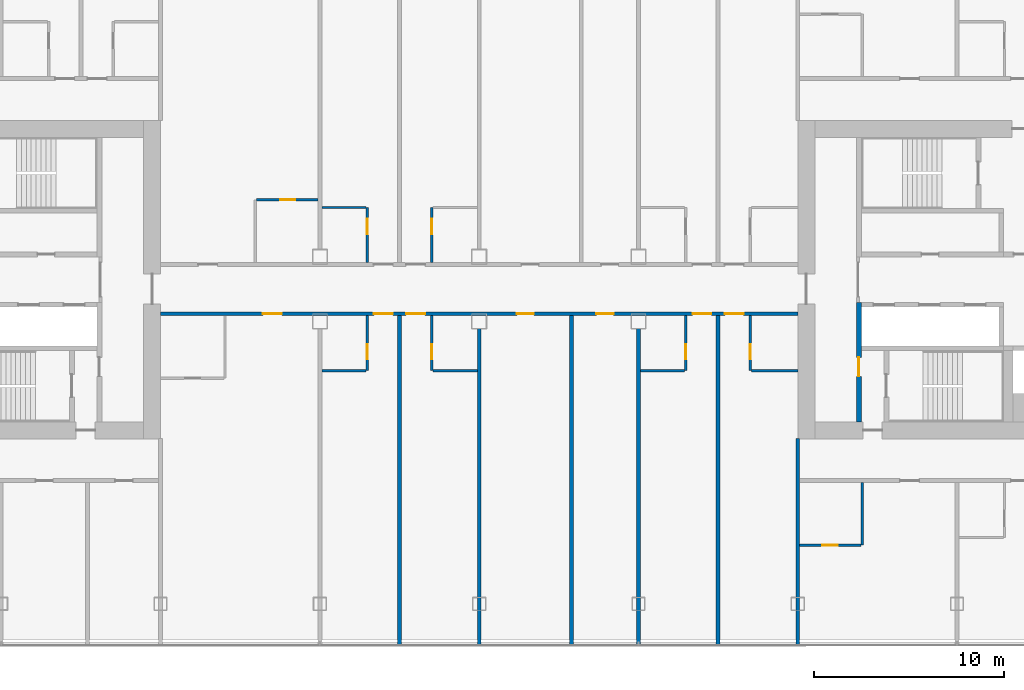
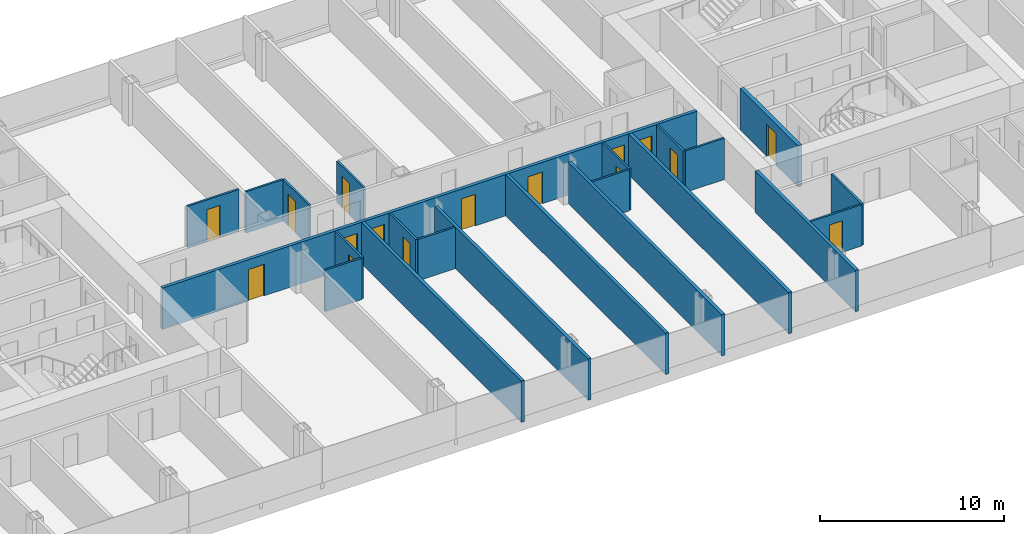
# One storey, part 14 of 26: 22 walls, 16 doors, 16 openings.
"""IFC4 building model written with IfcOpenShell, lengths in metres."""

from ifc_helpers import new_model, si_unit, direction, frame, frame_2d, origin, place, context, subcontext, project, spatial, rectangle, extrude, material, layer, layer_set, type_object, element, fill, save


model = new_model("IFC4")

# Units and contexts
model_context = context("Model", 3, precision=1e-05, world=origin(), true_north=direction((0.0, 1.0)))
body_context = subcontext(model_context, "Body", "Model", "MODEL_VIEW")
ifc_project = project(units=[si_unit("LENGTHUNIT", "METRE"), si_unit("AREAUNIT", "SQUARE_METRE"), si_unit("VOLUMEUNIT", "CUBIC_METRE"), si_unit("PLANEANGLEUNIT", "RADIAN"), si_unit("MASSUNIT", "GRAM", prefix="KILO")], contexts=[model_context])

# Site, building, storey
site_placement = place(None, origin())
site = spatial("IfcSite", under=ifc_project, at=site_placement, CompositionType="ELEMENT")
building_placement = place(site_placement, origin())
building = spatial("IfcBuilding", under=site, at=building_placement, Name="Hakoniwa Tower and Hamabe Station Hall", CompositionType="ELEMENT")
storey_placement = place(building_placement, frame((0.0, 0.0, 169.39990234375)))
storey = spatial("IfcBuildingStorey", under=building, at=storey_placement, Name="L48", CompositionType="ELEMENT", Elevation=169.39990234375)

# Wall, opening, door
ifc_material_1 = material(Name="Gypsum board partition", Category="gypsum")
ifc_layer_1 = layer(ifc_material_1, 0.125)
ifc_layer_set_1 = layer_set([ifc_layer_1], Name="Bathroom Partition 125")
wall_type_1 = type_object("IfcWallType", Name="Bathroom Partition 125", PredefinedType="PARTITIONING", material=ifc_layer_set_1)
wall_1_placement = place(storey_placement, frame((16.89990234375, -14.0, 0.0), z_axis=(0.0, 0.0, 1.0), x_axis=(1.0, 0.0, 0.0)))
wall_1 = element("IfcWall", 1, at=wall_1_placement, inside=storey, type_object=wall_type_1, Name="GW-L48-001", PredefinedType="PARTITIONING", context=body_context, shape_type="SweptSolid", body=[
    extrude(rectangle(XDim=3.237548828125, YDim=0.125, at=frame_2d((1.61865234375, 0.0))), origin(), (0.0, 0.0, 1.0), 2.75),
])
opening_1_placement = place(wall_1_placement, frame((1.199951171875, 0.0, 0.0)))
opening_1 = element("IfcOpeningElement", 2, at=opening_1_placement, cuts=wall_1, Name="Opening GD-G3C2-01", PredefinedType="OPENING", context=body_context, shape_type="SweptSolid", body=[
    extrude(rectangle(XDim=0.800048828125, YDim=2.10009765625, at=frame_2d((0.39990234375, 1.050048828125))), frame((0.0, 0.072509765625, 0.0), z_axis=(0.0, -1.0, 0.0), x_axis=(1.0, 0.0, 0.0)), (0.0, 0.0, 1.0), 0.14501953125),
])
ifc_material_2 = material(Name="Timber door leaf", Category="wood")
door_type_1 = type_object("IfcDoorType", Name="Bathroom Door 800", OperationType="SINGLE_SWING_LEFT", PredefinedType="DOOR", material=ifc_material_2)
door_1_placement = place(opening_1_placement, origin())
door_1 = element("IfcDoor", 3, at=door_1_placement, inside=storey, type_object=door_type_1, Name="Door GD-G3C2-01", OperationType="SINGLE_SWING_LEFT", OverallHeight=2.10009765625, OverallWidth=0.800048828125, PredefinedType="DOOR", context=body_context, shape_type="SweptSolid", body=[
    extrude(rectangle(XDim=0.800048828125, YDim=2.10009765625, at=frame_2d((0.39990234375, 1.050048828125))), frame((0.0, 0.02490234375, 0.0), z_axis=(0.0, -1.0, 0.0), x_axis=(1.0, 0.0, 0.0)), (0.0, 0.0, 1.0), 0.050048828125),
])
fill(opening_1, door_1)

# Walls
wall_2_placement = place(storey_placement, frame((-8.300048828125, -4.800048828125, 0.0), z_axis=(0.0, 0.0, 1.0), x_axis=(1.0, 0.0, 0.0)))
element("IfcWall", 4, at=wall_2_placement, inside=storey, type_object=wall_type_1, Name="GW-L48-010", PredefinedType="PARTITIONING", context=body_context, shape_type="SweptSolid", body=[
    extrude(rectangle(XDim=2.337646484375, YDim=0.125, at=frame_2d((1.1689453125, 0.0))), origin(), (0.0, 0.0, 1.0), 2.75),
])
for number, where, z_axis, x_axis, name in (
    (5, (-2.4375, -4.800048828125, 0.0), (0.0, 0.0, 1.0), (1.0, 0.0, 0.0), "GW-L48-011"),
    (6, (8.5, -4.800048828125, 0.0), (0.0, 0.0, 1.0), (1.0, 0.0, 0.0), "GW-L48-012"),
):
    element("IfcWall", number, at=place(storey_placement, frame(where, z_axis=z_axis, x_axis=x_axis)), inside=storey, type_object=wall_type_1, Name=name, PredefinedType="PARTITIONING", context=body_context, shape_type="SweptSolid", body=[
        extrude(rectangle(XDim=2.33740234375, YDim=0.125, at=frame_2d((1.168701171875, 0.0))), origin(), (0.0, 0.0, 1.0), 2.75),
    ])
wall_3_placement = place(storey_placement, frame((14.362548828125, -4.800048828125, 0.0), z_axis=(0.0, 0.0, 1.0), x_axis=(1.0, 0.0, 0.0)))
element("IfcWall", 7, at=wall_3_placement, inside=storey, type_object=wall_type_1, Name="GW-L48-013", PredefinedType="PARTITIONING", context=body_context, shape_type="SweptSolid", body=[
    extrude(rectangle(XDim=2.447509765625, YDim=0.125, at=frame_2d((1.2236328125, 0.0))), origin(), (0.0, 0.0, 1.0), 2.75),
])
wall_4_placement = place(storey_placement, frame((-8.300048828125, 3.800048828125, 0.0), z_axis=(0.0, 0.0, 1.0), x_axis=(1.0, 0.0, 0.0)))
element("IfcWall", 8, at=wall_4_placement, inside=storey, type_object=wall_type_1, Name="GW-L48-018", PredefinedType="PARTITIONING", context=body_context, shape_type="SweptSolid", body=[
    extrude(rectangle(XDim=2.337646484375, YDim=0.125, at=frame_2d((1.1689453125, 0.0))), origin(), (0.0, 0.0, 1.0), 2.75),
])

# Wall, opening, door
wall_5_placement = place(storey_placement, frame((-11.737548828125, 4.199951171875, 0.0), z_axis=(0.0, 0.0, 1.0), x_axis=(1.0, 0.0, 0.0)))
wall_5 = element("IfcWall", 9, at=wall_5_placement, inside=storey, type_object=wall_type_1, Name="GW-L48-022", PredefinedType="PARTITIONING", context=body_context, shape_type="SweptSolid", body=[
    extrude(rectangle(XDim=3.237548828125, YDim=0.125, at=frame_2d((1.61865234375, 0.0))), origin(), (0.0, 0.0, 1.0), 2.75),
])
opening_2_placement = place(wall_5_placement, frame((1.237548828125, 0.0, 0.0)))
opening_2 = element("IfcOpeningElement", 10, at=opening_2_placement, cuts=wall_5, Name="Opening GD-G3C2-32", PredefinedType="OPENING", context=body_context, shape_type="SweptSolid", body=[
    extrude(rectangle(XDim=0.800048828125, YDim=2.10009765625, at=frame_2d((0.39990234375, 1.050048828125))), frame((0.0, 0.072509765625, 0.0), z_axis=(0.0, -1.0, 0.0), x_axis=(1.0, 0.0, 0.0)), (0.0, 0.0, 1.0), 0.14501953125),
])
door_2_placement = place(opening_2_placement, origin())
door_2 = element("IfcDoor", 11, at=door_2_placement, inside=storey, type_object=door_type_1, Name="Door GD-G3C2-32", OperationType="SINGLE_SWING_RIGHT", OverallHeight=2.10009765625, OverallWidth=0.800048828125, PredefinedType="DOOR", context=body_context, shape_type="SweptSolid", body=[
    extrude(rectangle(XDim=0.800048828125, YDim=2.10009765625, at=frame_2d((0.39990234375, 1.050048828125))), frame((0.0, 0.02490234375, 0.0), z_axis=(0.0, -1.0, 0.0), x_axis=(1.0, 0.0, 0.0)), (0.0, 0.0, 1.0), 0.050048828125),
])
fill(opening_2, door_2)

wall_6_placement = place(storey_placement, frame((-5.89990234375, -4.800048828125, 0.0), z_axis=(0.0, 0.0, 1.0), x_axis=(0.0, 1.0, 0.0)))
wall_6 = element("IfcWall", 12, at=wall_6_placement, inside=storey, type_object=wall_type_1, Name="GW-L48-059", PredefinedType="PARTITIONING", context=body_context, shape_type="SweptSolid", body=[
    extrude(rectangle(XDim=2.900146484375, YDim=0.125, at=frame_2d((1.4501953125, 0.0))), origin(), (0.0, 0.0, 1.0), 2.75),
])
opening_3_placement = place(wall_6_placement, frame((0.60009765625, 0.0, 0.0)))
opening_3 = element("IfcOpeningElement", 13, at=opening_3_placement, cuts=wall_6, Name="Opening GD-G3C2-53", PredefinedType="OPENING", context=body_context, shape_type="SweptSolid", body=[
    extrude(rectangle(XDim=0.800048828125, YDim=2.10009765625, at=frame_2d((0.39990234375, 1.050048828125))), frame((0.0, 0.072509765625, 0.0), z_axis=(0.0, -1.0, 0.0), x_axis=(1.0, 0.0, 0.0)), (0.0, 0.0, 1.0), 0.14501953125),
])
door_3_placement = place(opening_3_placement, origin())
door_3 = element("IfcDoor", 14, at=door_3_placement, inside=storey, type_object=door_type_1, Name="Door GD-G3C2-53", OperationType="SINGLE_SWING_RIGHT", OverallHeight=2.10009765625, OverallWidth=0.800048828125, PredefinedType="DOOR", context=body_context, shape_type="SweptSolid", body=[
    extrude(rectangle(XDim=0.800048828125, YDim=2.10009765625, at=frame_2d((0.39990234375, 1.050048828125))), frame((0.0, 0.02490234375, 0.0), z_axis=(0.0, -1.0, 0.0), x_axis=(1.0, 0.0, 0.0)), (0.0, 0.0, 1.0), 0.050048828125),
])
fill(opening_3, door_3)

wall_7_placement = place(storey_placement, frame((-5.89990234375, 0.89990234375, 0.0), z_axis=(0.0, 0.0, 1.0), x_axis=(0.0, 1.0, 0.0)))
wall_7 = element("IfcWall", 15, at=wall_7_placement, inside=storey, type_object=wall_type_1, Name="GW-L48-060", PredefinedType="PARTITIONING", context=body_context, shape_type="SweptSolid", body=[
    extrude(rectangle(XDim=2.900146484375, YDim=0.125, at=frame_2d((1.4501953125, 0.0))), origin(), (0.0, 0.0, 1.0), 2.75),
])
opening_4_placement = place(wall_7_placement, frame((1.5, 0.0, 0.0)))
opening_4 = element("IfcOpeningElement", 16, at=opening_4_placement, cuts=wall_7, Name="Opening GD-G3C2-54", PredefinedType="OPENING", context=body_context, shape_type="SweptSolid", body=[
    extrude(rectangle(XDim=0.800048828125, YDim=2.10009765625, at=frame_2d((0.39990234375, 1.050048828125))), frame((0.0, 0.072509765625, 0.0), z_axis=(0.0, -1.0, 0.0), x_axis=(1.0, 0.0, 0.0)), (0.0, 0.0, 1.0), 0.14501953125),
])
door_4_placement = place(opening_4_placement, origin())
door_4 = element("IfcDoor", 17, at=door_4_placement, inside=storey, type_object=door_type_1, Name="Door GD-G3C2-54", OperationType="SINGLE_SWING_LEFT", OverallHeight=2.10009765625, OverallWidth=0.800048828125, PredefinedType="DOOR", context=body_context, shape_type="SweptSolid", body=[
    extrude(rectangle(XDim=0.800048828125, YDim=2.10009765625, at=frame_2d((0.39990234375, 1.050048828125))), frame((0.0, 0.02490234375, 0.0), z_axis=(0.0, -1.0, 0.0), x_axis=(1.0, 0.0, 0.0)), (0.0, 0.0, 1.0), 0.050048828125),
])
fill(opening_4, door_4)

wall_8_placement = place(storey_placement, frame((-2.5, -4.800048828125, 0.0), z_axis=(0.0, 0.0, 1.0), x_axis=(0.0, 1.0, 0.0)))
wall_8 = element("IfcWall", 18, at=wall_8_placement, inside=storey, type_object=wall_type_1, Name="GW-L48-063", PredefinedType="PARTITIONING", context=body_context, shape_type="SweptSolid", body=[
    extrude(rectangle(XDim=2.900146484375, YDim=0.125, at=frame_2d((1.4501953125, 0.0))), origin(), (0.0, 0.0, 1.0), 2.75),
])
opening_5_placement = place(wall_8_placement, frame((0.60009765625, 0.0, 0.0)))
opening_5 = element("IfcOpeningElement", 19, at=opening_5_placement, cuts=wall_8, Name="Opening GD-G3C2-55", PredefinedType="OPENING", context=body_context, shape_type="SweptSolid", body=[
    extrude(rectangle(XDim=0.800048828125, YDim=2.10009765625, at=frame_2d((0.39990234375, 1.050048828125))), frame((0.0, 0.072509765625, 0.0), z_axis=(0.0, -1.0, 0.0), x_axis=(1.0, 0.0, 0.0)), (0.0, 0.0, 1.0), 0.14501953125),
])
door_5_placement = place(opening_5_placement, origin())
door_5 = element("IfcDoor", 20, at=door_5_placement, inside=storey, type_object=door_type_1, Name="Door GD-G3C2-55", OperationType="SINGLE_SWING_LEFT", OverallHeight=2.10009765625, OverallWidth=0.800048828125, PredefinedType="DOOR", context=body_context, shape_type="SweptSolid", body=[
    extrude(rectangle(XDim=0.800048828125, YDim=2.10009765625, at=frame_2d((0.39990234375, 1.050048828125))), frame((0.0, 0.02490234375, 0.0), z_axis=(0.0, -1.0, 0.0), x_axis=(1.0, 0.0, 0.0)), (0.0, 0.0, 1.0), 0.050048828125),
])
fill(opening_5, door_5)

wall_9_placement = place(storey_placement, frame((-2.5, 0.89990234375, 0.0), z_axis=(0.0, 0.0, 1.0), x_axis=(0.0, 1.0, 0.0)))
wall_9 = element("IfcWall", 21, at=wall_9_placement, inside=storey, type_object=wall_type_1, Name="GW-L48-064", PredefinedType="PARTITIONING", context=body_context, shape_type="SweptSolid", body=[
    extrude(rectangle(XDim=2.900146484375, YDim=0.125, at=frame_2d((1.4501953125, 0.0))), origin(), (0.0, 0.0, 1.0), 2.75),
])
opening_6_placement = place(wall_9_placement, frame((1.5, 0.0, 0.0)))
opening_6 = element("IfcOpeningElement", 22, at=opening_6_placement, cuts=wall_9, Name="Opening GD-G3C2-56", PredefinedType="OPENING", context=body_context, shape_type="SweptSolid", body=[
    extrude(rectangle(XDim=0.800048828125, YDim=2.10009765625, at=frame_2d((0.39990234375, 1.050048828125))), frame((0.0, 0.072509765625, 0.0), z_axis=(0.0, -1.0, 0.0), x_axis=(1.0, 0.0, 0.0)), (0.0, 0.0, 1.0), 0.14501953125),
])
door_6_placement = place(opening_6_placement, origin())
door_6 = element("IfcDoor", 23, at=door_6_placement, inside=storey, type_object=door_type_1, Name="Door GD-G3C2-56", OperationType="SINGLE_SWING_RIGHT", OverallHeight=2.10009765625, OverallWidth=0.800048828125, PredefinedType="DOOR", context=body_context, shape_type="SweptSolid", body=[
    extrude(rectangle(XDim=0.800048828125, YDim=2.10009765625, at=frame_2d((0.39990234375, 1.050048828125))), frame((0.0, 0.02490234375, 0.0), z_axis=(0.0, -1.0, 0.0), x_axis=(1.0, 0.0, 0.0)), (0.0, 0.0, 1.0), 0.050048828125),
])
fill(opening_6, door_6)

wall_10_placement = place(storey_placement, frame((10.89990234375, -4.800048828125, 0.0), z_axis=(0.0, 0.0, 1.0), x_axis=(0.0, 1.0, 0.0)))
wall_10 = element("IfcWall", 24, at=wall_10_placement, inside=storey, type_object=wall_type_1, Name="GW-L48-071", PredefinedType="PARTITIONING", context=body_context, shape_type="SweptSolid", body=[
    extrude(rectangle(XDim=2.900146484375, YDim=0.125, at=frame_2d((1.4501953125, 0.0))), origin(), (0.0, 0.0, 1.0), 2.75),
])
opening_7_placement = place(wall_10_placement, frame((0.60009765625, 0.0, 0.0)))
opening_7 = element("IfcOpeningElement", 25, at=opening_7_placement, cuts=wall_10, Name="Opening GD-G3C2-57", PredefinedType="OPENING", context=body_context, shape_type="SweptSolid", body=[
    extrude(rectangle(XDim=0.800048828125, YDim=2.10009765625, at=frame_2d((0.39990234375, 1.050048828125))), frame((0.0, 0.072509765625, 0.0), z_axis=(0.0, -1.0, 0.0), x_axis=(1.0, 0.0, 0.0)), (0.0, 0.0, 1.0), 0.14501953125),
])
door_7_placement = place(opening_7_placement, origin())
door_7 = element("IfcDoor", 26, at=door_7_placement, inside=storey, type_object=door_type_1, Name="Door GD-G3C2-57", OperationType="SINGLE_SWING_RIGHT", OverallHeight=2.10009765625, OverallWidth=0.800048828125, PredefinedType="DOOR", context=body_context, shape_type="SweptSolid", body=[
    extrude(rectangle(XDim=0.800048828125, YDim=2.10009765625, at=frame_2d((0.39990234375, 1.050048828125))), frame((0.0, 0.02490234375, 0.0), z_axis=(0.0, -1.0, 0.0), x_axis=(1.0, 0.0, 0.0)), (0.0, 0.0, 1.0), 0.050048828125),
])
fill(opening_7, door_7)

wall_11_placement = place(storey_placement, frame((14.300048828125, -4.800048828125, 0.0), z_axis=(0.0, 0.0, 1.0), x_axis=(0.0, 1.0, 0.0)))
wall_11 = element("IfcWall", 27, at=wall_11_placement, inside=storey, type_object=wall_type_1, Name="GW-L48-075", PredefinedType="PARTITIONING", context=body_context, shape_type="SweptSolid", body=[
    extrude(rectangle(XDim=2.900146484375, YDim=0.125, at=frame_2d((1.4501953125, 0.0))), origin(), (0.0, 0.0, 1.0), 2.75),
])
opening_8_placement = place(wall_11_placement, frame((0.60009765625, 0.0, 0.0)))
opening_8 = element("IfcOpeningElement", 28, at=opening_8_placement, cuts=wall_11, Name="Opening GD-G3C2-59", PredefinedType="OPENING", context=body_context, shape_type="SweptSolid", body=[
    extrude(rectangle(XDim=0.800048828125, YDim=2.10009765625, at=frame_2d((0.39990234375, 1.050048828125))), frame((0.0, 0.072509765625, 0.0), z_axis=(0.0, -1.0, 0.0), x_axis=(1.0, 0.0, 0.0)), (0.0, 0.0, 1.0), 0.14501953125),
])
door_8_placement = place(opening_8_placement, origin())
door_8 = element("IfcDoor", 29, at=door_8_placement, inside=storey, type_object=door_type_1, Name="Door GD-G3C2-59", OperationType="SINGLE_SWING_LEFT", OverallHeight=2.10009765625, OverallWidth=0.800048828125, PredefinedType="DOOR", context=body_context, shape_type="SweptSolid", body=[
    extrude(rectangle(XDim=0.800048828125, YDim=2.10009765625, at=frame_2d((0.39990234375, 1.050048828125))), frame((0.0, 0.02490234375, 0.0), z_axis=(0.0, -1.0, 0.0), x_axis=(1.0, 0.0, 0.0)), (0.0, 0.0, 1.0), 0.050048828125),
])
fill(opening_8, door_8)

# Wall
wall_12_placement = place(storey_placement, frame((20.199951171875, -14.0, 0.0), z_axis=(0.0, 0.0, 1.0), x_axis=(0.0, 1.0, 0.0)))
element("IfcWall", 30, at=wall_12_placement, inside=storey, type_object=wall_type_1, Name="GW-L48-079", PredefinedType="PARTITIONING", context=body_context, shape_type="SweptSolid", body=[
    extrude(rectangle(XDim=3.300048828125, YDim=0.125, at=frame_2d((1.64990234375, 0.0))), origin(), (0.0, 0.0, 1.0), 2.75),
])

# Wall, opening, door
ifc_material_3 = material(Name="Concrete C66", Category="concrete")
ifc_layer_2 = layer(ifc_material_3, 0.25)
ifc_layer_set_2 = layer_set([ifc_layer_2], Name="CORE WEB WALL 250 C66")
wall_type_2 = type_object("IfcWallType", Name="CORE WEB WALL 250 C66", PredefinedType="SHEAR", material=ifc_layer_set_2)
wall_13_placement = place(storey_placement, frame((20.02490234375, -7.5, 0.0), z_axis=(0.0, 0.0, 1.0), x_axis=(0.0, 1.0, 0.0)))
wall_13 = element("IfcWall", 31, at=wall_13_placement, inside=storey, type_object=wall_type_2, Name="Core wall W1S east", PredefinedType="SHEAR", context=body_context, shape_type="SweptSolid", body=[
    extrude(rectangle(XDim=6.300048828125, YDim=0.25, at=frame_2d((3.14990234375, 0.0))), origin(), (0.0, 0.0, 1.0), 2.75),
])
opening_9_placement = place(wall_13_placement, frame((2.39990234375, 0.0, 0.0)))
opening_9 = element("IfcOpeningElement", 32, at=opening_9_placement, cuts=wall_13, Name="Opening CD-E-VS-10", PredefinedType="OPENING", context=body_context, shape_type="SweptSolid", body=[
    extrude(rectangle(XDim=1.0, YDim=2.10009765625, at=frame_2d((0.5, 1.050048828125))), frame((0.0, 0.135009765625, 0.0), z_axis=(0.0, -1.0, 0.0), x_axis=(1.0, 0.0, 0.0)), (0.0, 0.0, 1.0), 0.27001953125),
])
ifc_material_4 = material(Name="Steel fire door", Category="steel")
door_type_2 = type_object("IfcDoorType", Name="CORE DOOR 1000 FD60", OperationType="NOTDEFINED", PredefinedType="DOOR", material=ifc_material_4)
door_9_placement = place(opening_9_placement, origin())
door_9 = element("IfcDoor", 33, at=door_9_placement, inside=storey, type_object=door_type_2, Name="Stair vestibule door", OperationType="SINGLE_SWING_RIGHT", OverallHeight=2.10009765625, OverallWidth=1.0, PredefinedType="DOOR", context=body_context, shape_type="SweptSolid", body=[
    extrude(rectangle(XDim=1.0, YDim=2.10009765625, at=frame_2d((0.5, 1.050048828125))), frame((0.0, 0.02490234375, 0.0), z_axis=(0.0, -1.0, 0.0), x_axis=(1.0, 0.0, 0.0)), (0.0, 0.0, 1.0), 0.050048828125),
])
fill(opening_9, door_9)

# Wall, openings, doors
ifc_material_5 = material(Name="Fire-rated gypsum board partition", Category="gypsum")
ifc_layer_3 = layer(ifc_material_5, 0.199951171875)
ifc_layer_set_3 = layer_set([ifc_layer_3], Name="Corridor Wall 200")
wall_type_3 = type_object("IfcWallType", Name="Corridor Wall 200", PredefinedType="PARTITIONING", material=ifc_layer_set_3)
wall_14_placement = place(storey_placement, frame((-16.800048828125, -1.800048828125, 0.0), z_axis=(0.0, 0.0, 1.0), x_axis=(1.0, 0.0, 0.0)))
wall_14 = element("IfcWall", 34, at=wall_14_placement, inside=storey, type_object=wall_type_3, Name="GW-L48-014", PredefinedType="PARTITIONING", context=body_context, shape_type="SweptSolid", body=[
    extrude(rectangle(XDim=33.60009765625, YDim=0.199951171875, at=frame_2d((16.800048828125, 0.0))), origin(), (0.0, 0.0, 1.0), 2.75),
])
opening_10_placement = place(wall_14_placement, frame((5.39990234375, 0.0, 0.0)))
opening_10 = element("IfcOpeningElement", 35, at=opening_10_placement, cuts=wall_14, Name="Opening GD-G3C2-18", PredefinedType="OPENING", context=body_context, shape_type="SweptSolid", body=[
    extrude(rectangle(XDim=1.0, YDim=2.10009765625, at=frame_2d((0.5, 1.050048828125))), frame((0.0, 0.10986328125, 0.0), z_axis=(0.0, -1.0, 0.0), x_axis=(1.0, 0.0, 0.0)), (0.0, 0.0, 1.0), 0.219970703125),
])
opening_11_placement = place(wall_14_placement, frame((11.25, 0.0, 0.0)))
opening_11 = element("IfcOpeningElement", 36, at=opening_11_placement, cuts=wall_14, Name="Opening GD-G3C2-19", PredefinedType="OPENING", context=body_context, shape_type="SweptSolid", body=[
    extrude(rectangle(XDim=1.0, YDim=2.10009765625, at=frame_2d((0.5, 1.050048828125))), frame((0.0, 0.10986328125, 0.0), z_axis=(0.0, -1.0, 0.0), x_axis=(1.0, 0.0, 0.0)), (0.0, 0.0, 1.0), 0.219970703125),
])
opening_12_placement = place(wall_14_placement, frame((12.949951171875, 0.0, 0.0)))
opening_12 = element("IfcOpeningElement", 37, at=opening_12_placement, cuts=wall_14, Name="Opening GD-G3C2-20", PredefinedType="OPENING", context=body_context, shape_type="SweptSolid", body=[
    extrude(rectangle(XDim=1.0, YDim=2.10009765625, at=frame_2d((0.5, 1.050048828125))), frame((0.0, 0.10986328125, 0.0), z_axis=(0.0, -1.0, 0.0), x_axis=(1.0, 0.0, 0.0)), (0.0, 0.0, 1.0), 0.219970703125),
])
opening_13_placement = place(wall_14_placement, frame((18.784912109375, 0.0, 0.0)))
opening_13 = element("IfcOpeningElement", 38, at=opening_13_placement, cuts=wall_14, Name="Opening GD-G3C2-21", PredefinedType="OPENING", context=body_context, shape_type="SweptSolid", body=[
    extrude(rectangle(XDim=0.89990234375, YDim=2.10009765625, at=frame_2d((0.449951171875, 1.050048828125))), frame((0.0, 0.10986328125, 0.0), z_axis=(0.0, -1.0, 0.0), x_axis=(1.0, 0.0, 0.0)), (0.0, 0.0, 1.0), 0.219970703125),
])
opening_14_placement = place(wall_14_placement, frame((22.985107421875, 0.0, 0.0)))
opening_14 = element("IfcOpeningElement", 39, at=opening_14_placement, cuts=wall_14, Name="Opening GD-G3C2-22", PredefinedType="OPENING", context=body_context, shape_type="SweptSolid", body=[
    extrude(rectangle(XDim=0.89990234375, YDim=2.10009765625, at=frame_2d((0.449951171875, 1.050048828125))), frame((0.0, 0.10986328125, 0.0), z_axis=(0.0, -1.0, 0.0), x_axis=(1.0, 0.0, 0.0)), (0.0, 0.0, 1.0), 0.219970703125),
])
opening_15_placement = place(wall_14_placement, frame((28.050048828125, 0.0, 0.0)))
opening_15 = element("IfcOpeningElement", 40, at=opening_15_placement, cuts=wall_14, Name="Opening GD-G3C2-23", PredefinedType="OPENING", context=body_context, shape_type="SweptSolid", body=[
    extrude(rectangle(XDim=1.0, YDim=2.10009765625, at=frame_2d((0.5, 1.050048828125))), frame((0.0, 0.10986328125, 0.0), z_axis=(0.0, -1.0, 0.0), x_axis=(1.0, 0.0, 0.0)), (0.0, 0.0, 1.0), 0.219970703125),
])
opening_16_placement = place(wall_14_placement, frame((29.75, 0.0, 0.0)))
opening_16 = element("IfcOpeningElement", 41, at=opening_16_placement, cuts=wall_14, Name="Opening GD-G3C2-24", PredefinedType="OPENING", context=body_context, shape_type="SweptSolid", body=[
    extrude(rectangle(XDim=1.0, YDim=2.10009765625, at=frame_2d((0.5, 1.050048828125))), frame((0.0, 0.10986328125, 0.0), z_axis=(0.0, -1.0, 0.0), x_axis=(1.0, 0.0, 0.0)), (0.0, 0.0, 1.0), 0.219970703125),
])
ifc_material_6 = material(Name="Timber door leaf", Category="wood")
door_type_3 = type_object("IfcDoorType", Name="Guest Entrance Door 1000", OperationType="SINGLE_SWING_LEFT", PredefinedType="DOOR", material=ifc_material_6)
door_10_placement = place(opening_10_placement, origin())
door_10 = element("IfcDoor", 42, at=door_10_placement, inside=storey, type_object=door_type_3, Name="Door GD-G3C2-18", OperationType="SINGLE_SWING_RIGHT", OverallHeight=2.10009765625, OverallWidth=1.0, PredefinedType="DOOR", context=body_context, shape_type="SweptSolid", body=[
    extrude(rectangle(XDim=1.0, YDim=2.10009765625, at=frame_2d((0.5, 1.050048828125))), frame((0.0, 0.02490234375, 0.0), z_axis=(0.0, -1.0, 0.0), x_axis=(1.0, 0.0, 0.0)), (0.0, 0.0, 1.0), 0.050048828125),
])
fill(opening_10, door_10)
door_11_placement = place(opening_11_placement, origin())
door_11 = element("IfcDoor", 43, at=door_11_placement, inside=storey, type_object=door_type_3, Name="Door GD-G3C2-19", OperationType="SINGLE_SWING_LEFT", OverallHeight=2.10009765625, OverallWidth=1.0, PredefinedType="DOOR", context=body_context, shape_type="SweptSolid", body=[
    extrude(rectangle(XDim=1.0, YDim=2.10009765625, at=frame_2d((0.5, 1.050048828125))), frame((0.0, 0.02490234375, 0.0), z_axis=(0.0, -1.0, 0.0), x_axis=(1.0, 0.0, 0.0)), (0.0, 0.0, 1.0), 0.050048828125),
])
fill(opening_11, door_11)
door_12_placement = place(opening_12_placement, origin())
door_12 = element("IfcDoor", 44, at=door_12_placement, inside=storey, type_object=door_type_3, Name="Door GD-G3C2-20", OperationType="SINGLE_SWING_LEFT", OverallHeight=2.10009765625, OverallWidth=1.0, PredefinedType="DOOR", context=body_context, shape_type="SweptSolid", body=[
    extrude(rectangle(XDim=1.0, YDim=2.10009765625, at=frame_2d((0.5, 1.050048828125))), frame((0.0, 0.02490234375, 0.0), z_axis=(0.0, -1.0, 0.0), x_axis=(1.0, 0.0, 0.0)), (0.0, 0.0, 1.0), 0.050048828125),
])
fill(opening_12, door_12)
door_13_placement = place(opening_15_placement, origin())
door_13 = element("IfcDoor", 45, at=door_13_placement, inside=storey, type_object=door_type_3, Name="Door GD-G3C2-23", OperationType="SINGLE_SWING_RIGHT", OverallHeight=2.10009765625, OverallWidth=1.0, PredefinedType="DOOR", context=body_context, shape_type="SweptSolid", body=[
    extrude(rectangle(XDim=1.0, YDim=2.10009765625, at=frame_2d((0.5, 1.050048828125))), frame((0.0, 0.02490234375, 0.0), z_axis=(0.0, -1.0, 0.0), x_axis=(1.0, 0.0, 0.0)), (0.0, 0.0, 1.0), 0.050048828125),
])
fill(opening_15, door_13)
door_14_placement = place(opening_16_placement, origin())
door_14 = element("IfcDoor", 46, at=door_14_placement, inside=storey, type_object=door_type_3, Name="Door GD-G3C2-24", OperationType="SINGLE_SWING_LEFT", OverallHeight=2.10009765625, OverallWidth=1.0, PredefinedType="DOOR", context=body_context, shape_type="SweptSolid", body=[
    extrude(rectangle(XDim=1.0, YDim=2.10009765625, at=frame_2d((0.5, 1.050048828125))), frame((0.0, 0.02490234375, 0.0), z_axis=(0.0, -1.0, 0.0), x_axis=(1.0, 0.0, 0.0)), (0.0, 0.0, 1.0), 0.050048828125),
])
fill(opening_16, door_14)
ifc_material_7 = material(Name="Timber door leaf", Category="wood")
door_type_4 = type_object("IfcDoorType", Name="Service Door 900", OperationType="SINGLE_SWING_LEFT", PredefinedType="DOOR", material=ifc_material_7)
door_15_placement = place(opening_13_placement, origin())
door_15 = element("IfcDoor", 47, at=door_15_placement, inside=storey, type_object=door_type_4, Name="Door GD-G3C2-21", OperationType="SINGLE_SWING_RIGHT", OverallHeight=2.10009765625, OverallWidth=0.89990234375, PredefinedType="DOOR", context=body_context, shape_type="SweptSolid", body=[
    extrude(rectangle(XDim=0.89990234375, YDim=2.10009765625, at=frame_2d((0.449951171875, 1.050048828125))), frame((0.0, 0.02490234375, 0.0), z_axis=(0.0, -1.0, 0.0), x_axis=(1.0, 0.0, 0.0)), (0.0, 0.0, 1.0), 0.050048828125),
])
fill(opening_13, door_15)
door_16_placement = place(opening_14_placement, origin())
door_16 = element("IfcDoor", 48, at=door_16_placement, inside=storey, type_object=door_type_4, Name="Door GD-G3C2-22", OperationType="SINGLE_SWING_LEFT", OverallHeight=2.10009765625, OverallWidth=0.89990234375, PredefinedType="DOOR", context=body_context, shape_type="SweptSolid", body=[
    extrude(rectangle(XDim=0.89990234375, YDim=2.10009765625, at=frame_2d((0.449951171875, 1.050048828125))), frame((0.0, 0.02490234375, 0.0), z_axis=(0.0, -1.0, 0.0), x_axis=(1.0, 0.0, 0.0)), (0.0, 0.0, 1.0), 0.050048828125),
])
fill(opening_14, door_16)

# Walls
ifc_material_8 = material(Name="Fire-rated gypsum board partition", Category="gypsum")
ifc_layer_4 = layer(ifc_material_8, 0.199951171875)
ifc_layer_set_4 = layer_set([ifc_layer_4], Name="Party Wall 200")
wall_type_4 = type_object("IfcWallType", Name="Party Wall 200", PredefinedType="PARTITIONING", material=ifc_layer_set_4)
wall_15_placement = place(storey_placement, frame((-4.199951171875, -19.300048828125, 0.0), z_axis=(0.0, 0.0, 1.0), x_axis=(0.0, 1.0, 0.0)))
element("IfcWall", 49, at=wall_15_placement, inside=storey, type_object=wall_type_4, Name="GW-L48-061", PredefinedType="PARTITIONING", context=body_context, shape_type="SweptSolid", body=[
    extrude(rectangle(XDim=17.400146484375, YDim=0.199951171875, at=frame_2d((8.7001953125, 0.0))), origin(), (0.0, 0.0, 1.0), 2.75),
])
wall_16_placement = place(storey_placement, frame((0.0, -19.300048828125, 0.0), z_axis=(0.0, 0.0, 1.0), x_axis=(0.0, 1.0, 0.0)))
element("IfcWall", 50, at=wall_16_placement, inside=storey, type_object=wall_type_4, Name="GW-L48-065", PredefinedType="PARTITIONING", context=body_context, shape_type="SweptSolid", body=[
    extrude(rectangle(XDim=16.7099609375, YDim=0.199951171875, at=frame_2d((8.35498046875, 0.0))), origin(), (0.0, 0.0, 1.0), 2.75),
])
wall_17_placement = place(storey_placement, frame((4.8701171875, -19.300048828125, 0.0), z_axis=(0.0, 0.0, 1.0), x_axis=(0.0, 1.0, 0.0)))
element("IfcWall", 51, at=wall_17_placement, inside=storey, type_object=wall_type_4, Name="GW-L48-067", PredefinedType="PARTITIONING", context=body_context, shape_type="SweptSolid", body=[
    extrude(rectangle(XDim=17.400146484375, YDim=0.199951171875, at=frame_2d((8.7001953125, 0.0))), origin(), (0.0, 0.0, 1.0), 2.75),
])
wall_18_placement = place(storey_placement, frame((8.39990234375, -19.300048828125, 0.0), z_axis=(0.0, 0.0, 1.0), x_axis=(0.0, 1.0, 0.0)))
element("IfcWall", 52, at=wall_18_placement, inside=storey, type_object=wall_type_4, Name="GW-L48-069", PredefinedType="PARTITIONING", context=body_context, shape_type="SweptSolid", body=[
    extrude(rectangle(XDim=16.7099609375, YDim=0.199951171875, at=frame_2d((8.35498046875, 0.0))), origin(), (0.0, 0.0, 1.0), 2.75),
])
wall_19_placement = place(storey_placement, frame((12.60009765625, -19.300048828125, 0.0), z_axis=(0.0, 0.0, 1.0), x_axis=(0.0, 1.0, 0.0)))
element("IfcWall", 53, at=wall_19_placement, inside=storey, type_object=wall_type_4, Name="GW-L48-073", PredefinedType="PARTITIONING", context=body_context, shape_type="SweptSolid", body=[
    extrude(rectangle(XDim=17.400146484375, YDim=0.199951171875, at=frame_2d((8.7001953125, 0.0))), origin(), (0.0, 0.0, 1.0), 2.75),
])
wall_20_placement = place(storey_placement, frame((16.800048828125, -19.300048828125, 0.0), z_axis=(0.0, 0.0, 1.0), x_axis=(0.0, 1.0, 0.0)))
element("IfcWall", 54, at=wall_20_placement, inside=storey, type_object=wall_type_4, Name="GW-L48-077", PredefinedType="PARTITIONING", context=body_context, shape_type="SweptSolid", body=[
    extrude(rectangle(XDim=10.91015625, YDim=0.199951171875, at=frame_2d((5.455078125, 0.0))), origin(), (0.0, 0.0, 1.0), 2.75),
])

save(model, "model.ifc")
